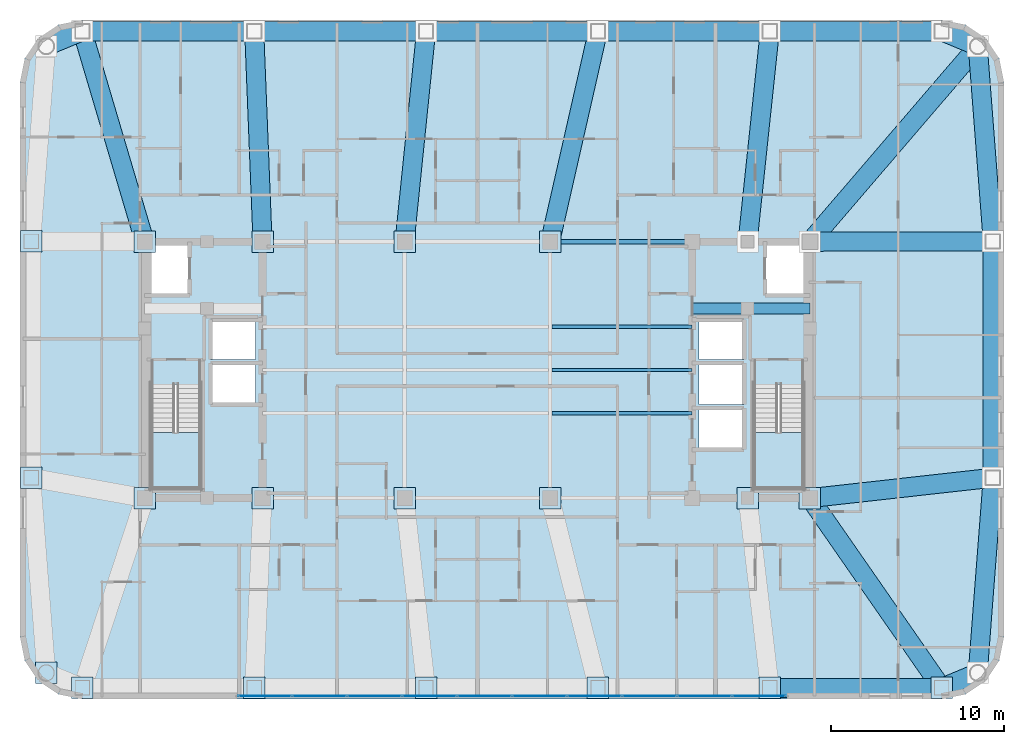
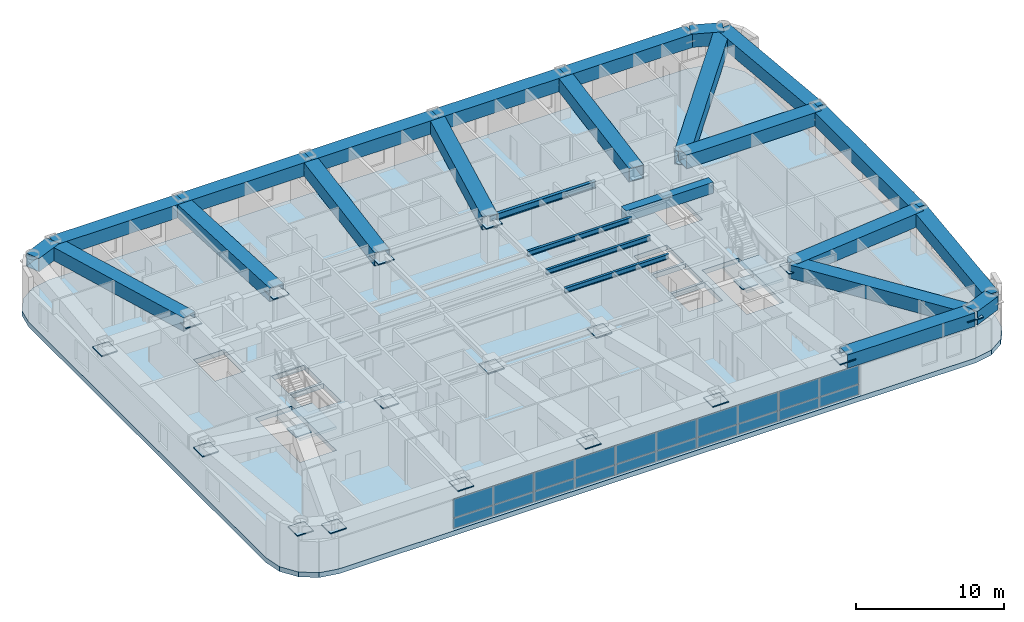
# One storey, part 7 of 16: 39 plates, 26 beams, 3 slabs, 3 elements without a shape of their own.
"""IFC4 building model written with IfcOpenShell, lengths in metres."""

from ifc_helpers import new_model, si_unit, direction, frame, origin, origin_2d, place, context, subcontext, project, spatial, polyline, rectangle, hollow_rectangle, i_section, outline, extrude, material, layer, layer_set, material_profile, profile_set, type_object, element, aggregate, save


model = new_model("IFC4")

# Units and contexts
model_context = context("Model", 3, precision=1e-05, world=origin(), true_north=direction((0.0, 1.0)))
body_context = subcontext(model_context, "Body", "Model", "MODEL_VIEW")
ifc_project = project(units=[si_unit("LENGTHUNIT", "METRE"), si_unit("AREAUNIT", "SQUARE_METRE"), si_unit("VOLUMEUNIT", "CUBIC_METRE"), si_unit("PLANEANGLEUNIT", "RADIAN"), si_unit("MASSUNIT", "GRAM", prefix="KILO")], contexts=[model_context])

# Site, building, storey
site_placement = place(None, origin())
site = spatial("IfcSite", under=ifc_project, at=site_placement, CompositionType="ELEMENT")
building_placement = place(site_placement, origin())
building = spatial("IfcBuilding", under=site, at=building_placement, Name="Voryun Gate Residences", CompositionType="ELEMENT")
storey_placement = place(building_placement, frame((0.0, 0.0, 200.199951171875)))
storey = spatial("IfcBuildingStorey", under=building, at=storey_placement, Name="L49", CompositionType="ELEMENT", Elevation=200.199951171875)

# Beams
ifc_material_1 = material(Name="Steel SM420", Category="steel")
ifc_material_profile_1 = material_profile(ifc_material_1, hollow_rectangle(XDim=1.10009765625, YDim=1.10009765625, WallThickness=0.035888671875, at=origin_2d()), Name="BOX-1100x1100x36")
ifc_profile_set_1 = profile_set([ifc_material_profile_1], Name="Steel SM420")
beam_type_1 = type_object("IfcBeamType", Name="BM_ARCH_RIB", PredefinedType="USERDEFINED", material=ifc_profile_set_1)
beam_1_placement = place(storey_placement, frame((16.8798828125, -18.35009765625, 3.10009765625), z_axis=(1.0, 0.0, 0.0), x_axis=(0.0, 1.0, 0.0)))
element("IfcBeam", 1, at=beam_1_placement, inside=storey, type_object=beam_type_1, Name="BM-L49-SPAND-05", ObjectType="GIRDER", PredefinedType="USERDEFINED", context=body_context, shape_type="SweptSolid", body=[
    extrude(hollow_rectangle(XDim=1.10009765625, YDim=1.10009765625, WallThickness=0.035888671875, at=origin_2d()), origin(), (0.0, 0.0, 1.0), 9.920166015625),
])
beam_2_placement = place(storey_placement, frame((26.800048828125, -18.35009765625, 3.10009765625), z_axis=(0.923881087602, 0.382679678022, 0.0), x_axis=(-0.382679678022, 0.923881087602, 0.0)))
element("IfcBeam", 2, at=beam_2_placement, inside=storey, type_object=beam_type_1, Name="BM-L49-SPAND-06", ObjectType="GIRDER", PredefinedType="USERDEFINED", context=body_context, shape_type="SweptSolid", body=[
    extrude(hollow_rectangle(XDim=1.10009765625, YDim=1.10009765625, WallThickness=0.035888671875, at=origin_2d()), origin(), (0.0, 0.0, 1.0), 2.2578125),
])
beam_3_placement = place(storey_placement, frame((28.885986328125, -17.486083984375, 3.10009765625), z_axis=(0.076480009441, 0.997071114894, 0.0), x_axis=(-0.997071114894, 0.076480009441, 0.0)))
element("IfcBeam", 3, at=beam_3_placement, inside=storey, type_object=beam_type_1, Name="BM-L49-SPAND-07", ObjectType="GIRDER", PredefinedType="USERDEFINED", context=body_context, shape_type="SweptSolid", body=[
    extrude(hollow_rectangle(XDim=1.10009765625, YDim=1.10009765625, WallThickness=0.035888671875, at=origin_2d()), origin(), (0.0, 0.0, 1.0), 11.29736328125),
])
beam_4_placement = place(storey_placement, frame((29.75, -6.221923828125, 3.10009765625), z_axis=(0.0, 1.0, 0.0), x_axis=(-1.0, 0.0, 0.0)))
element("IfcBeam", 4, at=beam_4_placement, inside=storey, type_object=beam_type_1, Name="BM-L49-SPAND-08", ObjectType="GIRDER", PredefinedType="USERDEFINED", context=body_context, shape_type="SweptSolid", body=[
    extrude(hollow_rectangle(XDim=1.10009765625, YDim=1.10009765625, WallThickness=0.035888671875, at=origin_2d()), origin(), (0.0, 0.0, 1.0), 13.64404296875),
])
beam_5_placement = place(storey_placement, frame((29.75, 7.422119140625, 3.10009765625), z_axis=(-0.076481657417, 0.997070988485, 0.0), x_axis=(-0.997070988485, -0.076481657417, 0.0)))
element("IfcBeam", 5, at=beam_5_placement, inside=storey, type_object=beam_type_1, Name="BM-L49-SPAND-09", ObjectType="GIRDER", PredefinedType="USERDEFINED", context=body_context, shape_type="SweptSolid", body=[
    extrude(hollow_rectangle(XDim=1.10009765625, YDim=1.10009765625, WallThickness=0.035888671875, at=origin_2d()), origin(), (0.0, 0.0, 1.0), 11.297119140625),
])
beam_6_placement = place(storey_placement, frame((28.885986328125, 18.68603515625, 3.10009765625), z_axis=(-0.923881087602, 0.382679678022, 0.0), x_axis=(-0.382679678022, -0.923881087602, 0.0)))
element("IfcBeam", 6, at=beam_6_placement, inside=storey, type_object=beam_type_1, Name="BM-L49-SPAND-10", ObjectType="GIRDER", PredefinedType="USERDEFINED", context=body_context, shape_type="SweptSolid", body=[
    extrude(hollow_rectangle(XDim=1.10009765625, YDim=1.10009765625, WallThickness=0.035888671875, at=origin_2d()), origin(), (0.0, 0.0, 1.0), 2.2578125),
])
beam_7_placement = place(storey_placement, frame((26.800048828125, 19.550048828125, 3.10009765625), z_axis=(-1.0, 0.0, 0.0), x_axis=(0.0, -1.0, 0.0)))
element("IfcBeam", 7, at=beam_7_placement, inside=storey, type_object=beam_type_1, Name="BM-L49-SPAND-11", ObjectType="GIRDER", PredefinedType="USERDEFINED", context=body_context, shape_type="SweptSolid", body=[
    extrude(hollow_rectangle(XDim=1.10009765625, YDim=1.10009765625, WallThickness=0.035888671875, at=origin_2d()), origin(), (0.0, 0.0, 1.0), 9.920166015625),
])
for number, where, z_axis, x_axis, name in (
    (8, (16.8798828125, 19.550048828125, 3.10009765625), (-1.0, 0.0, 0.0), (0.0, -1.0, 0.0), "BM-L49-SPAND-12"),
    (9, (6.9599609375, 19.550048828125, 3.10009765625), (-1.0, 0.0, 0.0), (0.0, -1.0, 0.0), "BM-L49-SPAND-13"),
    (10, (-2.9599609375, 19.550048828125, 3.10009765625), (-1.0, 0.0, 0.0), (0.0, -1.0, 0.0), "BM-L49-SPAND-14"),
):
    element("IfcBeam", number, at=place(storey_placement, frame(where, z_axis=z_axis, x_axis=x_axis)), inside=storey, type_object=beam_type_1, Name=name, ObjectType="GIRDER", PredefinedType="USERDEFINED", context=body_context, shape_type="SweptSolid", body=[
        extrude(hollow_rectangle(XDim=1.10009765625, YDim=1.10009765625, WallThickness=0.035888671875, at=origin_2d()), origin(), (0.0, 0.0, 1.0), 9.919921875),
    ])
beam_8_placement = place(storey_placement, frame((-12.8798828125, 19.550048828125, 3.10009765625), z_axis=(-1.0, 0.0, 0.0), x_axis=(0.0, -1.0, 0.0)))
element("IfcBeam", 11, at=beam_8_placement, inside=storey, type_object=beam_type_1, Name="BM-L49-SPAND-15", ObjectType="GIRDER", PredefinedType="USERDEFINED", context=body_context, shape_type="SweptSolid", body=[
    extrude(hollow_rectangle(XDim=1.10009765625, YDim=1.10009765625, WallThickness=0.035888671875, at=origin_2d()), origin(), (0.0, 0.0, 1.0), 9.920166015625),
])
beam_9_placement = place(storey_placement, frame((-22.800048828125, 19.550048828125, 3.10009765625), z_axis=(-0.923881087602, -0.382679678022, 0.0), x_axis=(0.382679678022, -0.923881087602, 0.0)))
element("IfcBeam", 12, at=beam_9_placement, inside=storey, type_object=beam_type_1, Name="BM-L49-SPAND-16", ObjectType="GIRDER", PredefinedType="USERDEFINED", context=body_context, shape_type="SweptSolid", body=[
    extrude(hollow_rectangle(XDim=1.10009765625, YDim=1.10009765625, WallThickness=0.035888671875, at=origin_2d()), origin(), (0.0, 0.0, 1.0), 2.2578125),
])
beam_10_placement = place(storey_placement, frame((19.199951171875, -7.39990234375, 3.10009765625), z_axis=(0.570182975489, -0.821517726201, 0.0), x_axis=(0.821517726201, 0.570182975489, 0.0)))
element("IfcBeam", 13, at=beam_10_placement, inside=storey, type_object=beam_type_1, Name="BM-L49-RAD-S6", ObjectType="GIRDER", PredefinedType="USERDEFINED", context=body_context, shape_type="SweptSolid", body=[
    extrude(hollow_rectangle(XDim=1.10009765625, YDim=1.10009765625, WallThickness=0.035888671875, at=origin_2d()), origin(), (0.0, 0.0, 1.0), 13.329345703125),
])
beam_11_placement = place(storey_placement, frame((19.199951171875, -7.39990234375, 3.10009765625), z_axis=(0.993824131675, 0.110966640486, 0.0), x_axis=(-0.110966640486, 0.993824131675, 0.0)))
element("IfcBeam", 14, at=beam_11_placement, inside=storey, type_object=beam_type_1, Name="BM-L49-RAD-E1", ObjectType="GIRDER", PredefinedType="USERDEFINED", context=body_context, shape_type="SweptSolid", body=[
    extrude(hollow_rectangle(XDim=1.10009765625, YDim=1.10009765625, WallThickness=0.035888671875, at=origin_2d()), origin(), (0.0, 0.0, 1.0), 10.61572265625),
])
beam_12_placement = place(storey_placement, frame((19.199951171875, 7.39990234375, 3.10009765625), z_axis=(0.99999778271, 0.002105843108, 0.0), x_axis=(-0.002105843108, 0.99999778271, 0.0)))
element("IfcBeam", 15, at=beam_12_placement, inside=storey, type_object=beam_type_1, Name="BM-L49-RAD-E2", ObjectType="GIRDER", PredefinedType="USERDEFINED", context=body_context, shape_type="SweptSolid", body=[
    extrude(hollow_rectangle(XDim=1.10009765625, YDim=1.10009765625, WallThickness=0.035888671875, at=origin_2d()), origin(), (0.0, 0.0, 1.0), 10.550048828125),
])
beam_13_placement = place(storey_placement, frame((19.199951171875, 7.39990234375, 3.10009765625), z_axis=(0.651264396721, 0.758850898111, 0.0), x_axis=(-0.758850898111, 0.651264396721, 0.0)))
element("IfcBeam", 16, at=beam_13_placement, inside=storey, type_object=beam_type_1, Name="BM-L49-RAD-CNE", ObjectType="GIRDER", PredefinedType="USERDEFINED", context=body_context, shape_type="SweptSolid", body=[
    extrude(hollow_rectangle(XDim=1.10009765625, YDim=1.10009765625, WallThickness=0.035888671875, at=origin_2d()), origin(), (0.0, 0.0, 1.0), 14.87255859375),
])
beam_14_placement = place(storey_placement, frame((15.60009765625, 7.39990234375, 3.10009765625), z_axis=(0.104751358085, 0.994498442925, 0.0), x_axis=(-0.994498442925, 0.104751358085, 0.0)))
element("IfcBeam", 17, at=beam_14_placement, inside=storey, type_object=beam_type_1, Name="BM-L49-RAD-N2", ObjectType="GIRDER", PredefinedType="USERDEFINED", context=body_context, shape_type="SweptSolid", body=[
    extrude(hollow_rectangle(XDim=1.10009765625, YDim=1.10009765625, WallThickness=0.035888671875, at=origin_2d()), origin(), (0.0, 0.0, 1.0), 12.21728515625),
])
beam_15_placement = place(storey_placement, frame((4.199951171875, 7.39990234375, 3.10009765625), z_axis=(0.221515238368, 0.975156910026, 0.0), x_axis=(-0.975156910026, 0.221515238368, 0.0)))
element("IfcBeam", 18, at=beam_15_placement, inside=storey, type_object=beam_type_1, Name="BM-L49-RAD-N3", ObjectType="GIRDER", PredefinedType="USERDEFINED", context=body_context, shape_type="SweptSolid", body=[
    extrude(hollow_rectangle(XDim=1.10009765625, YDim=1.10009765625, WallThickness=0.035888671875, at=origin_2d()), origin(), (0.0, 0.0, 1.0), 12.459716796875),
])
beam_16_placement = place(storey_placement, frame((-4.199951171875, 7.39990234375, 3.10009765625), z_axis=(0.101528223047, 0.994832659257, 0.0), x_axis=(-0.994832659257, 0.101528223047, 0.0)))
element("IfcBeam", 19, at=beam_16_placement, inside=storey, type_object=beam_type_1, Name="BM-L49-RAD-N4", ObjectType="GIRDER", PredefinedType="USERDEFINED", context=body_context, shape_type="SweptSolid", body=[
    extrude(hollow_rectangle(XDim=1.10009765625, YDim=1.10009765625, WallThickness=0.035888671875, at=origin_2d()), origin(), (0.0, 0.0, 1.0), 12.213134765625),
])
beam_17_placement = place(storey_placement, frame((-12.39990234375, 7.39990234375, 3.10009765625), z_axis=(-0.039473300578, 0.999220625558, 0.0), x_axis=(-0.999220625558, -0.039473300578, 0.0)))
element("IfcBeam", 20, at=beam_17_placement, inside=storey, type_object=beam_type_1, Name="BM-L49-RAD-N5", ObjectType="GIRDER", PredefinedType="USERDEFINED", context=body_context, shape_type="SweptSolid", body=[
    extrude(hollow_rectangle(XDim=1.10009765625, YDim=1.10009765625, WallThickness=0.035888671875, at=origin_2d()), origin(), (0.0, 0.0, 1.0), 12.15966796875),
])
beam_18_placement = place(storey_placement, frame((-19.199951171875, 7.39990234375, 3.10009765625), z_axis=(-0.284092265434, 0.958796946553, 0.0), x_axis=(-0.958796946553, -0.284092265434, 0.0)))
element("IfcBeam", 21, at=beam_18_placement, inside=storey, type_object=beam_type_1, Name="BM-L49-RAD-N6", ObjectType="GIRDER", PredefinedType="USERDEFINED", context=body_context, shape_type="SweptSolid", body=[
    extrude(hollow_rectangle(XDim=1.10009765625, YDim=1.10009765625, WallThickness=0.035888671875, at=origin_2d()), origin(), (0.0, 0.0, 1.0), 12.67236328125),
])
ifc_material_2 = material(Name="Concrete C60/75", Category="concrete")
ifc_material_profile_2 = material_profile(ifc_material_2, rectangle(XDim=0.64990234375, YDim=0.89990234375, at=origin_2d()), Name="RC-650x900")
ifc_profile_set_2 = profile_set([ifc_material_profile_2], Name="Concrete C60/75")
beam_type_2 = type_object("IfcBeamType", Name="BM_COUP_RC900", PredefinedType="LINTEL", material=ifc_profile_set_2)
beam_19_placement = place(storey_placement, frame((12.39990234375, 3.550048828125, 3.199951171875), z_axis=(1.0, 0.0, 0.0), x_axis=(0.0, 1.0, 0.0)))
element("IfcBeam", 22, at=beam_19_placement, inside=storey, type_object=beam_type_2, Name="BM-L49-EC1", PredefinedType="LINTEL", context=body_context, shape_type="SweptSolid", body=[
    extrude(rectangle(XDim=0.64990234375, YDim=0.89990234375, at=origin_2d()), origin(), (0.0, 0.0, 1.0), 6.800048828125),
])
ifc_material_3 = material(Name="Steel SM355", Category="steel")
ifc_material_profile_3 = material_profile(ifc_material_3, i_section(OverallWidth=0.239990234375, OverallDepth=0.550048828125, WebThickness=0.011962890625, FlangeThickness=0.02001953125, FilletRadius=0.01806640625, at=origin_2d()), Name="H-550x240x12x20")
ifc_profile_set_3 = profile_set([ifc_material_profile_3], Name="Steel SM355")
beam_type_3 = type_object("IfcBeamType", Name="BM_GIRD_550", PredefinedType="USERDEFINED", material=ifc_profile_set_3)
beam_20_placement = place(storey_placement, frame((4.199951171875, 7.39990234375, 3.375), z_axis=(1.0, 0.0, 0.0), x_axis=(0.0, 1.0, 0.0)))
element("IfcBeam", 23, at=beam_20_placement, inside=storey, type_object=beam_type_3, Name="BM-L49-SPG3-N", ObjectType="GIRDER", PredefinedType="USERDEFINED", context=body_context, shape_type="SweptSolid", body=[
    extrude(i_section(OverallWidth=0.239990234375, OverallDepth=0.550048828125, WebThickness=0.011962890625, FlangeThickness=0.02001953125, FilletRadius=0.01806640625, at=origin_2d()), origin(), (0.0, 0.0, 1.0), 8.199951171875),
])
ifc_material_4 = material(Name="Steel SM355", Category="steel")
ifc_material_profile_4 = material_profile(ifc_material_4, i_section(OverallWidth=0.18994140625, OverallDepth=0.419921875, WebThickness=0.009033203125, FlangeThickness=0.01611328125, FilletRadius=0.01806640625, at=origin_2d()), Name="H-420x190x9x16")
ifc_profile_set_4 = profile_set([ifc_material_profile_4], Name="Steel SM355")
beam_type_4 = type_object("IfcBeamType", Name="BM_SEC_420", PredefinedType="BEAM", material=ifc_profile_set_4)
for number, where, z_axis, x_axis, name in (
    (24, (4.300048828125, -2.5, 3.43994140625), (1.0, 0.0, 0.0), (0.0, 1.0, 0.0), "BM-L49-SEC-CS3"),
    (25, (4.300048828125, 0.0, 3.43994140625), (1.0, 0.0, 0.0), (0.0, 1.0, 0.0), "BM-L49-SEC-CM3"),
    (26, (4.300048828125, 2.5, 3.43994140625), (1.0, 0.0, 0.0), (0.0, 1.0, 0.0), "BM-L49-SEC-CN3"),
):
    element("IfcBeam", number, at=place(storey_placement, frame(where, z_axis=z_axis, x_axis=x_axis)), inside=storey, type_object=beam_type_4, Name=name, PredefinedType="BEAM", context=body_context, shape_type="SweptSolid", body=[
        extrude(i_section(OverallWidth=0.18994140625, OverallDepth=0.419921875, WebThickness=0.009033203125, FlangeThickness=0.01611328125, FilletRadius=0.01806640625, at=origin_2d()), origin(), (0.0, 0.0, 1.0), 8.099853515625),
    ])

# Plates
ifc_material_5 = material(Name="Steel SM355", Category="steel")
ifc_layer_1 = layer(ifc_material_5, 0.02490234375, Name="PLT_END_CAP_25")
ifc_layer_set_1 = layer_set([ifc_layer_1], Name="Steel SM355")
plate_type_1 = type_object("IfcPlateType", Name="PLT_END_CAP_25", PredefinedType="USERDEFINED", material=ifc_layer_set_1)
for number, where, z_axis, x_axis, name in (
    (27, (-22.800048828125, -18.35009765625, 3.06005859375), (0.0, 0.0, 1.0), (1.0, 0.0, 0.0), "L49 Hollow Member End-Cap Plate EC-647"),
    (28, (-12.8798828125, -18.35009765625, 3.06005859375), (0.0, 0.0, 1.0), (1.0, 0.0, 0.0), "L49 Hollow Member End-Cap Plate EC-648"),
    (29, (-2.9599609375, -18.35009765625, 3.06005859375), (0.0, 0.0, 1.0), (1.0, 0.0, 0.0), "L49 Hollow Member End-Cap Plate EC-649"),
    (30, (6.9599609375, -18.35009765625, 3.06005859375), (0.0, 0.0, 1.0), (1.0, 0.0, 0.0), "L49 Hollow Member End-Cap Plate EC-650"),
    (31, (16.8798828125, -18.35009765625, 3.06005859375), (0.0, 0.0, 1.0), (1.0, 0.0, 0.0), "L49 Hollow Member End-Cap Plate EC-651"),
    (32, (26.800048828125, -18.35009765625, 3.06005859375), (0.0, 0.0, 1.0), (1.0, 0.0, 0.0), "L49 Hollow Member End-Cap Plate EC-652"),
    (33, (-25.75, 7.422119140625, 3.06005859375), (0.0, 0.0, 1.0), (1.0, 0.0, 0.0), "L49 Hollow Member End-Cap Plate EC-664"),
    (34, (-25.75, -6.221923828125, 3.06005859375), (0.0, 0.0, 1.0), (1.0, 0.0, 0.0), "L49 Hollow Member End-Cap Plate EC-665"),
    (35, (-24.885986328125, -17.486083984375, 3.06005859375), (0.0, 0.0, 1.0), (1.0, 0.0, 0.0), "L49 Hollow Member End-Cap Plate EC-666"),
    (36, (-19.199951171875, -7.39990234375, 3.06005859375), (0.0, 0.0, 1.0), (1.0, 0.0, 0.0), "L49 Hollow Member End-Cap Plate EC-667"),
    (37, (-12.39990234375, -7.39990234375, 3.06005859375), (0.0, 0.0, 1.0), (1.0, 0.0, 0.0), "L49 Hollow Member End-Cap Plate EC-668"),
    (38, (-4.199951171875, -7.39990234375, 3.06005859375), (0.0, 0.0, 1.0), (1.0, 0.0, 0.0), "L49 Hollow Member End-Cap Plate EC-669"),
    (39, (4.199951171875, -7.39990234375, 3.06005859375), (0.0, 0.0, 1.0), (1.0, 0.0, 0.0), "L49 Hollow Member End-Cap Plate EC-670"),
    (40, (15.60009765625, -7.39990234375, 3.06005859375), (0.0, 0.0, 1.0), (1.0, 0.0, 0.0), "L49 Hollow Member End-Cap Plate EC-671"),
    (41, (19.199951171875, -7.39990234375, 3.06005859375), (0.0, 0.0, 1.0), (1.0, 0.0, 0.0), "L49 Hollow Member End-Cap Plate EC-672"),
    (42, (4.199951171875, 7.39990234375, 3.06005859375), (0.0, 0.0, 1.0), (1.0, 0.0, 0.0), "L49 Hollow Member End-Cap Plate EC-675"),
    (43, (-4.199951171875, 7.39990234375, 3.06005859375), (0.0, 0.0, 1.0), (1.0, 0.0, 0.0), "L49 Hollow Member End-Cap Plate EC-676"),
    (44, (-12.39990234375, 7.39990234375, 3.06005859375), (0.0, 0.0, 1.0), (1.0, 0.0, 0.0), "L49 Hollow Member End-Cap Plate EC-677"),
    (45, (-19.199951171875, 7.39990234375, 3.06005859375), (0.0, 0.0, 1.0), (1.0, 0.0, 0.0), "L49 Hollow Member End-Cap Plate EC-678"),
):
    element("IfcPlate", number, at=place(storey_placement, frame(where, z_axis=z_axis, x_axis=x_axis)), inside=storey, type_object=plate_type_1, Name=name, ObjectType="BASE_PLATE", PredefinedType="USERDEFINED", context=body_context, shape_type="SweptSolid", body=[
        extrude(rectangle(XDim=1.239990234375, YDim=1.239990234375, at=origin_2d()), origin(), (0.0, 0.0, 1.0), 0.080078125),
    ])

# Curtain wall, plates
ifc_material_6 = material(Name="Anodised aluminium", Category="aluminium")
ifc_layer_2 = layer(ifc_material_6, 0.2099609375, Name="CW_SYS_SKYGARDEN_DARK_GLASS")
ifc_layer_set_2 = layer_set([ifc_layer_2], Name="Anodised aluminium")
curtain_wall_type = type_object("IfcCurtainWallType", Name="CW_SYS_SKYGARDEN_DARK_GLASS", PredefinedType="NOTDEFINED", material=ifc_layer_set_2)
curtain_wall_placement = place(storey_placement, origin())
curtain_wall = element("IfcCurtainWall", 46, at=curtain_wall_placement, inside=storey, type_object=curtain_wall_type, Name="Curtain wall CW5-L49-SG-01", PredefinedType="NOTDEFINED")
ifc_material_7 = material(Name="Laminated low-E glass", Category="glass")
ifc_layer_3 = layer(ifc_material_7, 0.0458984375, Name="PLT_GLASS_DARK_SKY")
ifc_layer_set_3 = layer_set([ifc_layer_3], Name="Laminated low-E glass")
plate_type_2 = type_object("IfcPlateType", Name="PLT_GLASS_DARK_SKY", PredefinedType="CURTAIN_PANEL", material=ifc_layer_set_3)
plate_1_placement = place(storey_placement, frame((16.26025390625, -18.830078125, 0.06005859375), z_axis=(0.0, 0.0, 1.0), x_axis=(-1.0, 0.0, 0.0)))
plate_1 = element("IfcPlate", 47, at=plate_1_placement, type_object=plate_type_2, Name="CW5 panel 1.1", PredefinedType="CURTAIN_PANEL", context=body_context, shape_type="SweptSolid", body=[
    extrude(rectangle(XDim=3.082275390625, YDim=0.028076171875, at=origin_2d()), origin(), (0.0, 0.0, 1.0), 0.824462890625),
])
plate_2_placement = place(storey_placement, frame((16.26025390625, -18.830078125, 0.9443359375), z_axis=(0.0, 0.0, 1.0), x_axis=(-1.0, 0.0, 0.0)))
plate_2 = element("IfcPlate", 48, at=plate_2_placement, type_object=plate_type_2, Name="CW5 panel 1.2", PredefinedType="CURTAIN_PANEL", context=body_context, shape_type="SweptSolid", body=[
    extrude(rectangle(XDim=3.082275390625, YDim=0.028076171875, at=origin_2d()), origin(), (0.0, 0.0, 1.0), 1.53564453125),
])
plate_3_placement = place(storey_placement, frame((13.10302734375, -18.830078125, 0.06005859375), z_axis=(0.0, 0.0, 1.0), x_axis=(-1.0, 0.0, 0.0)))
plate_3 = element("IfcPlate", 49, at=plate_3_placement, type_object=plate_type_2, Name="CW5 panel 2.1", PredefinedType="CURTAIN_PANEL", context=body_context, shape_type="SweptSolid", body=[
    extrude(rectangle(XDim=3.1123046875, YDim=0.028076171875, at=origin_2d()), origin(), (0.0, 0.0, 1.0), 0.824462890625),
])
plate_4_placement = place(storey_placement, frame((13.10302734375, -18.830078125, 0.9443359375), z_axis=(0.0, 0.0, 1.0), x_axis=(-1.0, 0.0, 0.0)))
plate_4 = element("IfcPlate", 50, at=plate_4_placement, type_object=plate_type_2, Name="CW5 panel 2.2", PredefinedType="CURTAIN_PANEL", context=body_context, shape_type="SweptSolid", body=[
    extrude(rectangle(XDim=3.1123046875, YDim=0.028076171875, at=origin_2d()), origin(), (0.0, 0.0, 1.0), 1.53564453125),
])
plate_5_placement = place(storey_placement, frame((9.9306640625, -18.830078125, 0.06005859375), z_axis=(0.0, 0.0, 1.0), x_axis=(-1.0, 0.0, 0.0)))
plate_5 = element("IfcPlate", 51, at=plate_5_placement, type_object=plate_type_2, Name="CW5 panel 3.1", PredefinedType="CURTAIN_PANEL", context=body_context, shape_type="SweptSolid", body=[
    extrude(rectangle(XDim=3.1123046875, YDim=0.028076171875, at=origin_2d()), origin(), (0.0, 0.0, 1.0), 0.824462890625),
])
plate_6_placement = place(storey_placement, frame((9.9306640625, -18.830078125, 0.9443359375), z_axis=(0.0, 0.0, 1.0), x_axis=(-1.0, 0.0, 0.0)))
plate_6 = element("IfcPlate", 52, at=plate_6_placement, type_object=plate_type_2, Name="CW5 panel 3.2", PredefinedType="CURTAIN_PANEL", context=body_context, shape_type="SweptSolid", body=[
    extrude(rectangle(XDim=3.1123046875, YDim=0.028076171875, at=origin_2d()), origin(), (0.0, 0.0, 1.0), 1.53564453125),
])
plate_7_placement = place(storey_placement, frame((6.75830078125, -18.830078125, 0.06005859375), z_axis=(0.0, 0.0, 1.0), x_axis=(-1.0, 0.0, 0.0)))
plate_7 = element("IfcPlate", 53, at=plate_7_placement, type_object=plate_type_2, Name="CW5 panel 4.1", PredefinedType="CURTAIN_PANEL", context=body_context, shape_type="SweptSolid", body=[
    extrude(rectangle(XDim=3.1123046875, YDim=0.028076171875, at=origin_2d()), origin(), (0.0, 0.0, 1.0), 0.824462890625),
])
plate_8_placement = place(storey_placement, frame((6.75830078125, -18.830078125, 0.9443359375), z_axis=(0.0, 0.0, 1.0), x_axis=(-1.0, 0.0, 0.0)))
plate_8 = element("IfcPlate", 54, at=plate_8_placement, type_object=plate_type_2, Name="CW5 panel 4.2", PredefinedType="CURTAIN_PANEL", context=body_context, shape_type="SweptSolid", body=[
    extrude(rectangle(XDim=3.1123046875, YDim=0.028076171875, at=origin_2d()), origin(), (0.0, 0.0, 1.0), 1.53564453125),
])
plate_9_placement = place(storey_placement, frame((3.586181640625, -18.830078125, 0.06005859375), z_axis=(0.0, 0.0, 1.0), x_axis=(-1.0, 0.0, 0.0)))
plate_9 = element("IfcPlate", 55, at=plate_9_placement, type_object=plate_type_2, Name="CW5 panel 5.1", PredefinedType="CURTAIN_PANEL", context=body_context, shape_type="SweptSolid", body=[
    extrude(rectangle(XDim=3.1123046875, YDim=0.028076171875, at=origin_2d()), origin(), (0.0, 0.0, 1.0), 0.824462890625),
])
plate_10_placement = place(storey_placement, frame((3.586181640625, -18.830078125, 0.9443359375), z_axis=(0.0, 0.0, 1.0), x_axis=(-1.0, 0.0, 0.0)))
plate_10 = element("IfcPlate", 56, at=plate_10_placement, type_object=plate_type_2, Name="CW5 panel 5.2", PredefinedType="CURTAIN_PANEL", context=body_context, shape_type="SweptSolid", body=[
    extrude(rectangle(XDim=3.1123046875, YDim=0.028076171875, at=origin_2d()), origin(), (0.0, 0.0, 1.0), 1.53564453125),
])
plate_11_placement = place(storey_placement, frame((0.413818359375, -18.830078125, 0.06005859375), z_axis=(0.0, 0.0, 1.0), x_axis=(-1.0, 0.0, 0.0)))
plate_11 = element("IfcPlate", 57, at=plate_11_placement, type_object=plate_type_2, Name="CW5 panel 6.1", PredefinedType="CURTAIN_PANEL", context=body_context, shape_type="SweptSolid", body=[
    extrude(rectangle(XDim=3.1123046875, YDim=0.028076171875, at=origin_2d()), origin(), (0.0, 0.0, 1.0), 0.824462890625),
])
plate_12_placement = place(storey_placement, frame((0.413818359375, -18.830078125, 0.9443359375), z_axis=(0.0, 0.0, 1.0), x_axis=(-1.0, 0.0, 0.0)))
plate_12 = element("IfcPlate", 58, at=plate_12_placement, type_object=plate_type_2, Name="CW5 panel 6.2", PredefinedType="CURTAIN_PANEL", context=body_context, shape_type="SweptSolid", body=[
    extrude(rectangle(XDim=3.1123046875, YDim=0.028076171875, at=origin_2d()), origin(), (0.0, 0.0, 1.0), 1.53564453125),
])
plate_13_placement = place(storey_placement, frame((-2.75830078125, -18.830078125, 0.06005859375), z_axis=(0.0, 0.0, 1.0), x_axis=(-1.0, 0.0, 0.0)))
plate_13 = element("IfcPlate", 59, at=plate_13_placement, type_object=plate_type_2, Name="CW5 panel 7.1", PredefinedType="CURTAIN_PANEL", context=body_context, shape_type="SweptSolid", body=[
    extrude(rectangle(XDim=3.1123046875, YDim=0.028076171875, at=origin_2d()), origin(), (0.0, 0.0, 1.0), 0.824462890625),
])
plate_14_placement = place(storey_placement, frame((-2.75830078125, -18.830078125, 0.9443359375), z_axis=(0.0, 0.0, 1.0), x_axis=(-1.0, 0.0, 0.0)))
plate_14 = element("IfcPlate", 60, at=plate_14_placement, type_object=plate_type_2, Name="CW5 panel 7.2", PredefinedType="CURTAIN_PANEL", context=body_context, shape_type="SweptSolid", body=[
    extrude(rectangle(XDim=3.1123046875, YDim=0.028076171875, at=origin_2d()), origin(), (0.0, 0.0, 1.0), 1.53564453125),
])
plate_15_placement = place(storey_placement, frame((-5.9306640625, -18.830078125, 0.06005859375), z_axis=(0.0, 0.0, 1.0), x_axis=(-1.0, 0.0, 0.0)))
plate_15 = element("IfcPlate", 61, at=plate_15_placement, type_object=plate_type_2, Name="CW5 panel 8.1", PredefinedType="CURTAIN_PANEL", context=body_context, shape_type="SweptSolid", body=[
    extrude(rectangle(XDim=3.1123046875, YDim=0.028076171875, at=origin_2d()), origin(), (0.0, 0.0, 1.0), 0.824462890625),
])
plate_16_placement = place(storey_placement, frame((-5.9306640625, -18.830078125, 0.9443359375), z_axis=(0.0, 0.0, 1.0), x_axis=(-1.0, 0.0, 0.0)))
plate_16 = element("IfcPlate", 62, at=plate_16_placement, type_object=plate_type_2, Name="CW5 panel 8.2", PredefinedType="CURTAIN_PANEL", context=body_context, shape_type="SweptSolid", body=[
    extrude(rectangle(XDim=3.1123046875, YDim=0.028076171875, at=origin_2d()), origin(), (0.0, 0.0, 1.0), 1.53564453125),
])
plate_17_placement = place(storey_placement, frame((-9.10302734375, -18.830078125, 0.06005859375), z_axis=(0.0, 0.0, 1.0), x_axis=(-1.0, 0.0, 0.0)))
plate_17 = element("IfcPlate", 63, at=plate_17_placement, type_object=plate_type_2, Name="CW5 panel 9.1", PredefinedType="CURTAIN_PANEL", context=body_context, shape_type="SweptSolid", body=[
    extrude(rectangle(XDim=3.1123046875, YDim=0.028076171875, at=origin_2d()), origin(), (0.0, 0.0, 1.0), 0.824462890625),
])
plate_18_placement = place(storey_placement, frame((-9.10302734375, -18.830078125, 0.9443359375), z_axis=(0.0, 0.0, 1.0), x_axis=(-1.0, 0.0, 0.0)))
plate_18 = element("IfcPlate", 64, at=plate_18_placement, type_object=plate_type_2, Name="CW5 panel 9.2", PredefinedType="CURTAIN_PANEL", context=body_context, shape_type="SweptSolid", body=[
    extrude(rectangle(XDim=3.1123046875, YDim=0.028076171875, at=origin_2d()), origin(), (0.0, 0.0, 1.0), 1.53564453125),
])
plate_19_placement = place(storey_placement, frame((-12.26025390625, -18.830078125, 0.06005859375), z_axis=(0.0, 0.0, 1.0), x_axis=(-1.0, 0.0, 0.0)))
plate_19 = element("IfcPlate", 65, at=plate_19_placement, type_object=plate_type_2, Name="CW5 panel 10.1", PredefinedType="CURTAIN_PANEL", context=body_context, shape_type="SweptSolid", body=[
    extrude(rectangle(XDim=3.082275390625, YDim=0.028076171875, at=origin_2d()), origin(), (0.0, 0.0, 1.0), 0.824462890625),
])
plate_20_placement = place(storey_placement, frame((-12.26025390625, -18.830078125, 0.9443359375), z_axis=(0.0, 0.0, 1.0), x_axis=(-1.0, 0.0, 0.0)))
plate_20 = element("IfcPlate", 66, at=plate_20_placement, type_object=plate_type_2, Name="CW5 panel 10.2", PredefinedType="CURTAIN_PANEL", context=body_context, shape_type="SweptSolid", body=[
    extrude(rectangle(XDim=3.082275390625, YDim=0.028076171875, at=origin_2d()), origin(), (0.0, 0.0, 1.0), 1.53564453125),
])
aggregate(curtain_wall, [plate_1, plate_2, plate_3, plate_4, plate_5, plate_6, plate_7, plate_8, plate_9, plate_10, plate_11, plate_12, plate_13, plate_14, plate_15, plate_16, plate_17, plate_18, plate_19, plate_20])

# Stair, slab
ifc_material_8 = material(Name="Concrete C40/50", Category="concrete")
stair_type = type_object("IfcStairType", Name="STR_CORE_DOGLEG_1350", PredefinedType="HALF_TURN_STAIR", material=ifc_material_8)
stair_1_placement = place(storey_placement, origin())
stair_1 = element("IfcStair", 67, at=stair_1_placement, inside=storey, type_object=stair_type, Name="L49 Special Escape Stair ST-W1", PredefinedType="HALF_TURN_STAIR")
ifc_material_9 = material(Name="Concrete C40/50", Category="concrete")
ifc_layer_4 = layer(ifc_material_9, 0.199951171875, Name="SLB_STAIR_LANDING_200")
ifc_layer_set_4 = layer_set([ifc_layer_4], Name="Concrete C40/50")
slab_type_1 = type_object("IfcSlabType", Name="SLB_STAIR_LANDING_200", PredefinedType="LANDING", material=ifc_layer_set_4)
slab_1_placement = place(storey_placement, frame((0.0, 0.0, 1.75)))
slab_1 = element("IfcSlab", 68, at=slab_1_placement, type_object=slab_type_1, Name="ST-W1 landing 1", PredefinedType="LANDING", context=body_context, shape_type="SweptSolid", body=[
    extrude(outline(polyline([(-18.824951171875, -3.60009765625), (-18.824951171875, -6.85009765625), (-15.97509765625, -6.85009765625), (-15.97509765625, -3.60009765625), (-18.824951171875, -3.60009765625)])), origin(), (0.0, 0.0, 1.0), 0.199951171875),
])
aggregate(stair_1, [slab_1])

stair_2_placement = place(storey_placement, origin())
stair_2 = element("IfcStair", 69, at=stair_2_placement, inside=storey, type_object=stair_type, Name="L49 Special Escape Stair ST-E1", PredefinedType="HALF_TURN_STAIR")
slab_2_placement = place(storey_placement, frame((0.0, 0.0, 1.75)))
slab_2 = element("IfcSlab", 70, at=slab_2_placement, type_object=slab_type_1, Name="ST-E1 landing 1", PredefinedType="LANDING", context=body_context, shape_type="SweptSolid", body=[
    extrude(outline(polyline([(15.97509765625, -3.60009765625), (15.97509765625, -6.85009765625), (18.824951171875, -6.85009765625), (18.824951171875, -3.60009765625), (15.97509765625, -3.60009765625)])), origin(), (0.0, 0.0, 1.0), 0.199951171875),
])
aggregate(stair_2, [slab_2])

# Slab
ifc_material_10 = material(Name="Concrete C50/60", Category="concrete")
ifc_layer_5 = layer(ifc_material_10, 0.39990234375, Name="SLB_XFER_400")
ifc_layer_set_5 = layer_set([ifc_layer_5], Name="Concrete C50/60")
slab_type_2 = type_object("IfcSlabType", Name="SLB_XFER_400", PredefinedType="FLOOR", material=ifc_layer_set_5)
slab_3_placement = place(storey_placement, frame((0.0, 0.0, -0.39990234375)))
element("IfcSlab", 71, at=slab_3_placement, inside=storey, type_object=slab_type_2, Name="L49 Structural Floor Slab", PredefinedType="FLOOR", context=body_context, shape_type="SweptSolid", body=[
    extrude(outline(polyline([(-22.800048828125, -19.0), (-24.177734375, -18.72607421875), (-25.345458984375, -17.945556640625), (-26.1259765625, -16.777587890625), (-26.39990234375, -15.39990234375), (-26.39990234375, 16.60009765625), (-26.1259765625, 17.9775390625), (-25.345458984375, 19.1455078125), (-24.177734375, 19.926025390625), (-22.800048828125, 20.199951171875), (26.800048828125, 20.199951171875), (28.177734375, 19.926025390625), (29.345458984375, 19.1455078125), (30.1259765625, 17.9775390625), (30.39990234375, 16.60009765625), (30.39990234375, -15.39990234375), (30.1259765625, -16.777587890625), (29.345458984375, -17.945556640625), (28.177734375, -18.72607421875), (26.800048828125, -19.0), (-22.800048828125, -19.0)]), holes=[polyline([(-15.97509765625, -6.85009765625), (-15.97509765625, -0.840087890625), (-18.824951171875, -0.840087890625), (-18.824951171875, -6.85009765625), (-15.97509765625, -6.85009765625)]), polyline([(18.824951171875, -6.85009765625), (18.824951171875, -0.840087890625), (15.97509765625, -0.840087890625), (15.97509765625, -6.85009765625), (18.824951171875, -6.85009765625)]), polyline([(15.39990234375, -2.199951171875), (12.800048828125, -2.199951171875), (12.800048828125, -4.60009765625), (15.39990234375, -4.60009765625), (15.39990234375, -2.199951171875)]), polyline([(-12.800048828125, 0.39990234375), (-15.39990234375, 0.39990234375), (-15.39990234375, -2.0), (-12.800048828125, -2.0), (-12.800048828125, 0.39990234375)]), polyline([(15.39990234375, 0.39990234375), (12.800048828125, 0.39990234375), (12.800048828125, -2.0), (15.39990234375, -2.0), (15.39990234375, 0.39990234375)]), polyline([(-12.800048828125, 2.89990234375), (-15.39990234375, 2.89990234375), (-15.39990234375, 0.60009765625), (-12.800048828125, 0.60009765625), (-12.800048828125, 2.89990234375)]), polyline([(15.39990234375, 2.89990234375), (12.800048828125, 2.89990234375), (12.800048828125, 0.60009765625), (15.39990234375, 0.60009765625), (15.39990234375, 2.89990234375)]), polyline([(-16.60009765625, 4.300048828125), (-16.60009765625, 7.199951171875), (-19.0, 7.199951171875), (-19.0, 4.300048828125), (-16.60009765625, 4.300048828125)]), polyline([(19.0, 4.300048828125), (19.0, 7.199951171875), (16.60009765625, 7.199951171875), (16.60009765625, 4.300048828125), (19.0, 4.300048828125)])]), origin(), (0.0, 0.0, 1.0), 0.39990234375),
])

save(model, "model.ifc")
